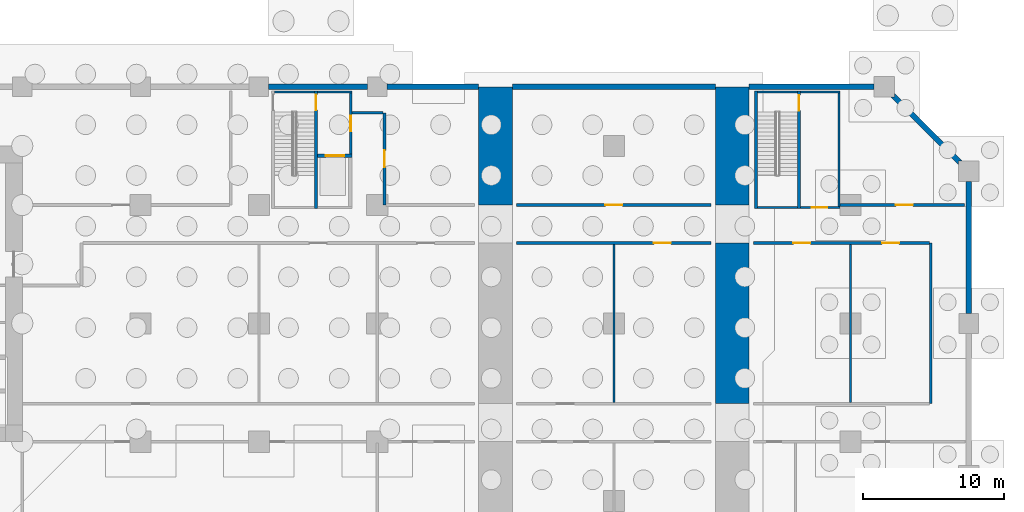
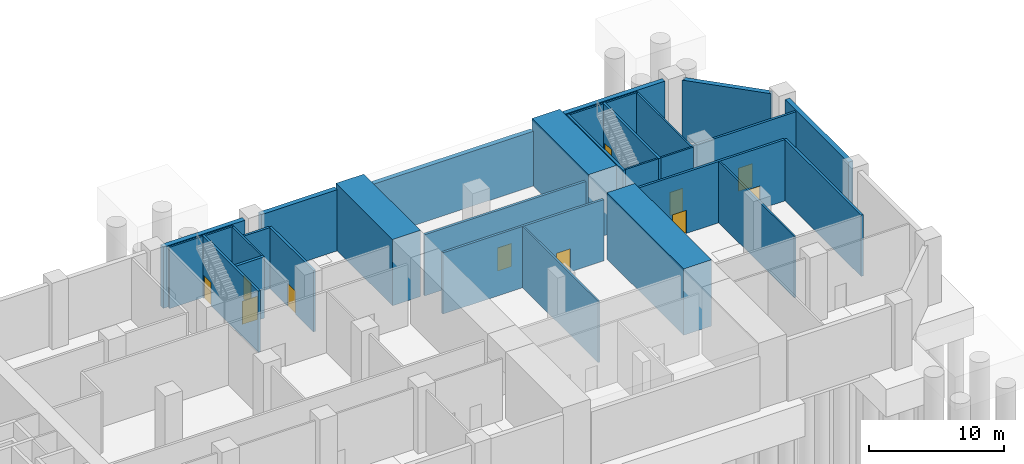
# One storey, part 9 of 13: 30 walls, 11 doors, 11 openings.
"""IFC4 building model written with IfcOpenShell, lengths in metres."""

from ifc_helpers import new_model, si_unit, direction, frame, frame_2d, origin, place, context, subcontext, project, spatial, polyline, rectangle, outline, extrude, material, layer, layer_set, type_object, element, fill, save


model = new_model("IFC4")

# Units and contexts
model_context = context("Model", 3, precision=1e-05, world=origin(), true_north=direction((0.0, 1.0)))
body_context = subcontext(model_context, "Body", "Model", "MODEL_VIEW")
ifc_project = project(units=[si_unit("LENGTHUNIT", "METRE"), si_unit("AREAUNIT", "SQUARE_METRE"), si_unit("VOLUMEUNIT", "CUBIC_METRE"), si_unit("PLANEANGLEUNIT", "RADIAN"), si_unit("MASSUNIT", "GRAM", prefix="KILO")], contexts=[model_context])

# Site, building, storey
site_placement = place(None, origin())
site = spatial("IfcSite", under=ifc_project, at=site_placement, CompositionType="ELEMENT")
building_placement = place(site_placement, origin())
building = spatial("IfcBuilding", under=site, at=building_placement, Name="Kawkab Arch Medical Tower", CompositionType="ELEMENT")
storey_placement = place(building_placement, frame((0.0, 0.0, -6.0)))
storey = spatial("IfcBuildingStorey", under=building, at=storey_placement, Name="B1", CompositionType="ELEMENT", Elevation=-6.0)

# Walls
ifc_material_1 = material(Name="Concrete C60/75", Category="concrete")
wall_type_1 = type_object("IfcWallType", Name="Arch wall C60/75", PredefinedType="SHEAR", material=ifc_material_1)
placement_1 = place(storey_placement, frame((0.0, 0.0, 6.0), z_axis=(0.0, -1.0, 0.0), x_axis=(1.0, 0.0, 0.0)))
element("IfcWall", 1, at=placement_1, inside=storey, type_object=wall_type_1, Name="Arch wall B1-1", PredefinedType="SHEAR", context=body_context, shape_type="SweptSolid", body=[
    extrude(outline(polyline([(60.0, 0.0), (60.0, -6.0), (57.60009765625, -6.0), (57.60009765625, 0.0), (60.0, 0.0)])), origin(), (0.0, 0.0, 1.0), 8.39990234375),
])
element("IfcWall", 2, at=placement_1, inside=storey, type_object=wall_type_1, Name="Arch wall B1-6", PredefinedType="SHEAR", context=body_context, shape_type="SweptSolid", body=[
    extrude(outline(polyline([(74.39990234375, -6.0), (74.39990234375, 0.0), (76.800048828125, 0.0), (76.800048828125, -6.0), (74.39990234375, -6.0)])), origin(), (0.0, 0.0, 1.0), 8.39990234375),
])
wall_3_placement = place(storey_placement, frame((0.0, -11.10009765625, 6.0), z_axis=(0.0, -1.0, 0.0), x_axis=(1.0, 0.0, 0.0)))
element("IfcWall", 3, at=wall_3_placement, inside=storey, type_object=wall_type_1, Name="Arch wall B1-8", PredefinedType="SHEAR", context=body_context, shape_type="SweptSolid", body=[
    extrude(outline(polyline([(74.39990234375, -6.0), (74.39990234375, 0.0), (76.800048828125, 0.0), (76.800048828125, -6.0), (74.39990234375, -6.0)])), origin(), (0.0, 0.0, 1.0), 11.39990234375),
])
ifc_material_2 = material(Name="Concrete C45/55", Category="concrete")
ifc_layer_1 = layer(ifc_material_2, 0.39990234375)
ifc_layer_set_1 = layer_set([ifc_layer_1], Name="Concrete C45/55")
wall_type_2 = type_object("IfcWallType", Name="Basement wall 400 C45/55", PredefinedType="SOLIDWALL", material=ifc_layer_set_1)
placement_2 = place(storey_placement, origin())
element("IfcWall", 4, at=placement_2, inside=storey, type_object=wall_type_2, Name="Basement wall 05", PredefinedType="SOLIDWALL", context=body_context, shape_type="SweptSolid", body=[
    extrude(outline(polyline([(49.699951171875, -0.199951171875), (42.699951171875, -0.199951171875), (42.699951171875, 0.199951171875), (49.699951171875, 0.199951171875), (49.699951171875, -0.199951171875)])), origin(), (0.0, 0.0, 1.0), 5.550048828125),
])
element("IfcWall", 5, at=placement_2, inside=storey, type_object=wall_type_2, Name="Basement wall 06", PredefinedType="SOLIDWALL", context=body_context, shape_type="SweptSolid", body=[
    extrude(outline(polyline([(57.60009765625, -0.199951171875), (51.10009765625, -0.199951171875), (51.10009765625, 0.199951171875), (57.60009765625, 0.199951171875), (57.60009765625, -0.199951171875)])), origin(), (0.0, 0.0, 1.0), 5.550048828125),
])
element("IfcWall", 6, at=placement_2, inside=storey, type_object=wall_type_2, Name="Basement wall 07", PredefinedType="SOLIDWALL", context=body_context, shape_type="SweptSolid", body=[
    extrude(outline(polyline([(74.39990234375, -0.199951171875), (60.0, -0.199951171875), (60.0, 0.199951171875), (74.39990234375, 0.199951171875), (74.39990234375, -0.199951171875)])), origin(), (0.0, 0.0, 1.0), 4.949951171875),
])
element("IfcWall", 7, at=placement_2, inside=storey, type_object=wall_type_2, Name="Basement wall 08", PredefinedType="SOLIDWALL", context=body_context, shape_type="SweptSolid", body=[
    extrude(outline(polyline([(85.675048828125, -0.199951171875), (76.800048828125, -0.199951171875), (76.800048828125, 0.199951171875), (85.675048828125, 0.199951171875), (85.675048828125, -0.199951171875)])), origin(), (0.0, 0.0, 1.0), 5.550048828125),
])
element("IfcWall", 8, at=placement_2, inside=storey, type_object=wall_type_2, Name="Basement wall 10", PredefinedType="SOLIDWALL", context=body_context, shape_type="SweptSolid", body=[
    extrude(outline(polyline([(91.675048828125, -5.27490234375), (91.675048828125, -5.557861328125), (86.84228515625, -0.72509765625), (87.125, -0.72509765625), (87.125, -0.442138671875), (91.957763671875, -5.27490234375), (91.675048828125, -5.27490234375)])), origin(), (0.0, 0.0, 1.0), 5.550048828125),
])
element("IfcWall", 9, at=placement_2, inside=storey, type_object=wall_type_2, Name="Basement wall 12", PredefinedType="SOLIDWALL", context=body_context, shape_type="SweptSolid", body=[
    extrude(outline(polyline([(92.199951171875, -16.10009765625), (92.199951171875, -6.72509765625), (92.60009765625, -6.72509765625), (92.60009765625, -16.10009765625), (92.199951171875, -16.10009765625)])), origin(), (0.0, 0.0, 1.0), 5.550048828125),
])

# Wall, opening, door
ifc_material_3 = material(Name="Gypsum board on steel studs", Category="steel")
ifc_layer_2 = layer(ifc_material_3, 0.14990234375)
ifc_layer_set_2 = layer_set([ifc_layer_2], Name="Gypsum board on steel studs")
wall_type_3 = type_object("IfcWallType", Name="Core room partition 150", PredefinedType="PARTITIONING", material=ifc_layer_set_2)
wall_10_placement = place(storey_placement, frame((48.52490234375, -4.77490234375, 0.0), z_axis=(0.0, 0.0, 1.0), x_axis=(0.0, 1.0, 0.0)))
wall_10 = element("IfcWall", 10, at=wall_10_placement, inside=storey, type_object=wall_type_3, Name="B1 core room partition", PredefinedType="PARTITIONING", context=body_context, shape_type="SweptSolid", body=[
    extrude(rectangle(XDim=4.324951171875, YDim=0.14990234375, at=frame_2d((2.16259765625, 0.0))), origin(), (0.0, 0.0, 1.0), 5.550048828125),
])
opening_1_placement = place(wall_10_placement, frame((1.625, 0.0, 0.0)))
opening_1 = element("IfcOpeningElement", 11, at=opening_1_placement, cuts=wall_10, Name="Opening FD", PredefinedType="OPENING", context=body_context, shape_type="SweptSolid", body=[
    extrude(rectangle(XDim=1.10009765625, YDim=2.10009765625, at=frame_2d((0.550048828125, 1.050048828125))), frame((0.0, 0.0849609375, 0.0), z_axis=(0.0, -1.0, 0.0), x_axis=(1.0, 0.0, 0.0)), (0.0, 0.0, 1.0), 0.169921875),
])
ifc_material_4 = material(Name="Hollow metal fire door leaf")
door_type_1 = type_object("IfcDoorType", Name="Firefighting lobby door 1100", OperationType="SINGLE_SWING_LEFT", PredefinedType="DOOR", material=ifc_material_4)
door_1_placement = place(opening_1_placement, origin())
door_1 = element("IfcDoor", 12, at=door_1_placement, inside=storey, type_object=door_type_1, Name="B1 Service lift lobby door SV1", OperationType="SINGLE_SWING_LEFT", OverallHeight=2.10009765625, OverallWidth=1.10009765625, PredefinedType="DOOR", context=body_context, shape_type="SweptSolid", body=[
    extrude(rectangle(XDim=1.10009765625, YDim=2.10009765625, at=frame_2d((0.550048828125, 1.050048828125))), frame((0.0, 0.02490234375, 0.0), z_axis=(0.0, -1.0, 0.0), x_axis=(1.0, 0.0, 0.0)), (0.0, 0.0, 1.0), 0.050048828125),
])
fill(opening_1, door_1)

# Walls
wall_11_placement = place(storey_placement, frame((80.449951171875, -0.375, 0.0), z_axis=(0.0, 0.0, 1.0), x_axis=(1.0, 0.0, 0.0)))
element("IfcWall", 13, at=wall_11_placement, inside=storey, type_object=wall_type_3, Name="B1 core room partition", PredefinedType="PARTITIONING", context=body_context, shape_type="SweptSolid", body=[
    extrude(rectangle(XDim=2.800048828125, YDim=0.14990234375, at=frame_2d((1.39990234375, 0.0))), origin(), (0.0, 0.0, 1.0), 5.550048828125),
])
wall_12_placement = place(storey_placement, frame((83.175048828125, -8.5, 0.0), z_axis=(0.0, 0.0, 1.0), x_axis=(0.0, 1.0, 0.0)))
element("IfcWall", 14, at=wall_12_placement, inside=storey, type_object=wall_type_3, Name="B1 core room partition", PredefinedType="PARTITIONING", context=body_context, shape_type="SweptSolid", body=[
    extrude(rectangle(XDim=8.050048828125, YDim=0.14990234375, at=frame_2d((4.02490234375, 0.0))), origin(), (0.0, 0.0, 1.0), 5.550048828125),
])

# Wall, opening, door
ifc_material_5 = material(Name="Concrete C60/75", Category="concrete")
ifc_layer_3 = layer(ifc_material_5, 0.25)
ifc_layer_set_3 = layer_set([ifc_layer_3], Name="Concrete C60/75")
wall_type_4 = type_object("IfcWallType", Name="Core shear wall 250 C60/75", PredefinedType="SHEAR", material=ifc_layer_set_3)
wall_13_placement = place(storey_placement, frame((46.14990234375, -4.89990234375, 0.0), z_axis=(0.0, 0.0, 1.0), x_axis=(1.0, 0.0, 0.0)))
wall_13 = element("IfcWall", 15, at=wall_13_placement, inside=storey, type_object=wall_type_4, Name="B1 core shear wall", PredefinedType="SHEAR", context=body_context, shape_type="SweptSolid", body=[
    extrude(rectangle(XDim=2.4501953125, YDim=0.25, at=frame_2d((1.22509765625, 0.0))), origin(), (0.0, 0.0, 1.0), 5.550048828125),
])
opening_2_placement = place(wall_13_placement, frame((0.60009765625, 0.0, 0.0)))
opening_2 = element("IfcOpeningElement", 16, at=opening_2_placement, cuts=wall_13, Name="Opening LD2", PredefinedType="OPENING", context=body_context, shape_type="SweptSolid", body=[
    extrude(rectangle(XDim=1.300048828125, YDim=2.10009765625, at=frame_2d((0.64990234375, 1.050048828125))), frame((0.0, 0.135009765625, 0.0), z_axis=(0.0, -1.0, 0.0), x_axis=(1.0, 0.0, 0.0)), (0.0, 0.0, 1.0), 0.27001953125),
])
ifc_material_6 = material(Name="Stainless steel lift door leaf", Category="steel")
door_type_2 = type_object("IfcDoorType", Name="Lift landing door 1300", OperationType="DOUBLE_DOOR_SLIDING", PredefinedType="DOOR", material=ifc_material_6)
door_2_placement = place(opening_2_placement, origin())
door_2 = element("IfcDoor", 17, at=door_2_placement, inside=storey, type_object=door_type_2, Name="B1 Lift landing door SV1", OperationType="DOUBLE_DOOR_SLIDING", OverallHeight=2.10009765625, OverallWidth=1.300048828125, PredefinedType="DOOR", context=body_context, shape_type="SweptSolid", body=[
    extrude(rectangle(XDim=1.300048828125, YDim=2.10009765625, at=frame_2d((0.64990234375, 1.050048828125))), frame((0.0, 0.02490234375, 0.0), z_axis=(0.0, -1.0, 0.0), x_axis=(1.0, 0.0, 0.0)), (0.0, 0.0, 1.0), 0.050048828125),
])
fill(opening_2, door_2)

# Walls
ifc_material_7 = material(Name="Gypsum board partition on steel studs, mineral wool", Category="steel")
ifc_layer_4 = layer(ifc_material_7, 0.14990234375)
ifc_layer_set_4 = layer_set([ifc_layer_4], Name="Gypsum board partition on steel studs, mineral wool")
wall_type_5 = type_object("IfcWallType", Name="Partition 150", PredefinedType="PARTITIONING", material=ifc_layer_set_4)
for number, where, z_axis, x_axis, name in (
    (18, (67.199951171875, -22.39990234375, 0.0), (0.0, 0.0, 1.0), (0.0, 1.0, 0.0), "Partition 150 w033"),
    (19, (84.0, -22.39990234375, 0.0), (0.0, 0.0, 1.0), (0.0, 1.0, 0.0), "Partition 150 w035"),
):
    element("IfcWall", number, at=place(storey_placement, frame(where, z_axis=z_axis, x_axis=x_axis)), inside=storey, type_object=wall_type_5, Name=name, PredefinedType="PARTITIONING", context=body_context, shape_type="SweptSolid", body=[
        extrude(rectangle(XDim=11.199951171875, YDim=0.14990234375, at=frame_2d((5.60009765625, 0.0))), origin(), (0.0, 0.0, 1.0), 5.550048828125),
    ])

# Wall, opening, door
ifc_material_8 = material(Name="Fire-rated gypsum board partition on steel studs", Category="steel")
ifc_layer_5 = layer(ifc_material_8, 0.199951171875)
ifc_layer_set_5 = layer_set([ifc_layer_5], Name="Fire-rated gypsum board partition on steel studs")
wall_type_6 = type_object("IfcWallType", Name="Protected partition 200", PredefinedType="PARTITIONING", material=ifc_layer_set_5)
wall_14_placement = place(storey_placement, frame((60.300048828125, -11.10009765625, 0.0), z_axis=(0.0, 0.0, 1.0), x_axis=(1.0, 0.0, 0.0)))
wall_14 = element("IfcWall", 20, at=wall_14_placement, inside=storey, type_object=wall_type_6, Name="Protected partition 200 w043", PredefinedType="PARTITIONING", context=body_context, shape_type="SweptSolid", body=[
    extrude(rectangle(XDim=13.800048828125, YDim=0.199951171875, at=frame_2d((6.89990234375, 0.0))), origin(), (0.0, 0.0, 1.0), 5.550048828125),
])
opening_3_placement = place(wall_14_placement, frame((9.75, 0.0, 0.0)))
opening_3 = element("IfcOpeningElement", 21, at=opening_3_placement, cuts=wall_14, Name="Opening B01-033", PredefinedType="OPENING", context=body_context, shape_type="SweptSolid", body=[
    extrude(rectangle(XDim=1.199951171875, YDim=2.10009765625, at=frame_2d((0.60009765625, 1.050048828125))), frame((0.0, 0.10986328125, 0.0), z_axis=(0.0, -1.0, 0.0), x_axis=(1.0, 0.0, 0.0)), (0.0, 0.0, 1.0), 0.219970703125),
])
ifc_material_9 = material(Name="Hollow metal door leaf")
door_type_3 = type_object("IfcDoorType", Name="Single door 1200x2100 FD60", OperationType="NOTDEFINED", PredefinedType="DOOR", material=ifc_material_9)
door_3_placement = place(opening_3_placement, origin())
door_3 = element("IfcDoor", 22, at=door_3_placement, inside=storey, type_object=door_type_3, Name="Door B01-033", OperationType="SINGLE_SWING_LEFT", OverallHeight=2.10009765625, OverallWidth=1.199951171875, PredefinedType="DOOR", context=body_context, shape_type="SweptSolid", body=[
    extrude(rectangle(XDim=1.199951171875, YDim=2.10009765625, at=frame_2d((0.60009765625, 1.050048828125))), frame((0.0, 0.02490234375, 0.0), z_axis=(0.0, -1.0, 0.0), x_axis=(1.0, 0.0, 0.0)), (0.0, 0.0, 1.0), 0.050048828125),
])
fill(opening_3, door_3)

# Wall, openings, doors
wall_15_placement = place(storey_placement, frame((77.10009765625, -11.10009765625, 0.0), z_axis=(0.0, 0.0, 1.0), x_axis=(1.0, 0.0, 0.0)))
wall_15 = element("IfcWall", 23, at=wall_15_placement, inside=storey, type_object=wall_type_6, Name="Protected partition 200 w044", PredefinedType="PARTITIONING", context=body_context, shape_type="SweptSolid", body=[
    extrude(rectangle(XDim=12.5, YDim=0.199951171875, at=frame_2d((6.25, 0.0))), origin(), (0.0, 0.0, 1.0), 5.550048828125),
])
opening_4_placement = place(wall_15_placement, frame((2.85009765625, 0.0, 0.0)))
opening_4 = element("IfcOpeningElement", 24, at=opening_4_placement, cuts=wall_15, Name="Opening B01-034", PredefinedType="OPENING", context=body_context, shape_type="SweptSolid", body=[
    extrude(rectangle(XDim=1.199951171875, YDim=2.10009765625, at=frame_2d((0.60009765625, 1.050048828125))), frame((0.0, 0.10986328125, 0.0), z_axis=(0.0, -1.0, 0.0), x_axis=(1.0, 0.0, 0.0)), (0.0, 0.0, 1.0), 0.219970703125),
])
opening_5_placement = place(wall_15_placement, frame((9.14990234375, 0.0, 0.0)))
opening_5 = element("IfcOpeningElement", 25, at=opening_5_placement, cuts=wall_15, Name="Opening B01-035", PredefinedType="OPENING", context=body_context, shape_type="SweptSolid", body=[
    extrude(rectangle(XDim=1.199951171875, YDim=2.10009765625, at=frame_2d((0.60009765625, 1.050048828125))), frame((0.0, 0.10986328125, 0.0), z_axis=(0.0, -1.0, 0.0), x_axis=(1.0, 0.0, 0.0)), (0.0, 0.0, 1.0), 0.219970703125),
])
door_4_placement = place(opening_4_placement, origin())
door_4 = element("IfcDoor", 26, at=door_4_placement, inside=storey, type_object=door_type_3, Name="Door B01-034", OperationType="SINGLE_SWING_RIGHT", OverallHeight=2.10009765625, OverallWidth=1.199951171875, PredefinedType="DOOR", context=body_context, shape_type="SweptSolid", body=[
    extrude(rectangle(XDim=1.199951171875, YDim=2.10009765625, at=frame_2d((0.60009765625, 1.050048828125))), frame((0.0, 0.02490234375, 0.0), z_axis=(0.0, -1.0, 0.0), x_axis=(1.0, 0.0, 0.0)), (0.0, 0.0, 1.0), 0.050048828125),
])
fill(opening_4, door_4)
door_5_placement = place(opening_5_placement, origin())
door_5 = element("IfcDoor", 27, at=door_5_placement, inside=storey, type_object=door_type_3, Name="Door B01-035", OperationType="SINGLE_SWING_LEFT", OverallHeight=2.10009765625, OverallWidth=1.199951171875, PredefinedType="DOOR", context=body_context, shape_type="SweptSolid", body=[
    extrude(rectangle(XDim=1.199951171875, YDim=2.10009765625, at=frame_2d((0.60009765625, 1.050048828125))), frame((0.0, 0.02490234375, 0.0), z_axis=(0.0, -1.0, 0.0), x_axis=(1.0, 0.0, 0.0)), (0.0, 0.0, 1.0), 0.050048828125),
])
fill(opening_5, door_5)

# Wall, opening, door
wall_16_placement = place(storey_placement, frame((60.300048828125, -8.39990234375, 0.0), z_axis=(0.0, 0.0, 1.0), x_axis=(1.0, 0.0, 0.0)))
wall_16 = element("IfcWall", 28, at=wall_16_placement, inside=storey, type_object=wall_type_6, Name="Protected partition 200 w047", PredefinedType="PARTITIONING", context=body_context, shape_type="SweptSolid", body=[
    extrude(rectangle(XDim=13.800048828125, YDim=0.199951171875, at=frame_2d((6.89990234375, 0.0))), origin(), (0.0, 0.0, 1.0), 5.550048828125),
])
opening_6_placement = place(wall_16_placement, frame((6.300048828125, 0.0, 0.0)))
opening_6 = element("IfcOpeningElement", 29, at=opening_6_placement, cuts=wall_16, Name="Opening B01-027", PredefinedType="OPENING", context=body_context, shape_type="SweptSolid", body=[
    extrude(rectangle(XDim=1.199951171875, YDim=2.10009765625, at=frame_2d((0.60009765625, 1.050048828125))), frame((0.0, 0.10986328125, 0.0), z_axis=(0.0, -1.0, 0.0), x_axis=(1.0, 0.0, 0.0)), (0.0, 0.0, 1.0), 0.219970703125),
])
door_6_placement = place(opening_6_placement, origin())
door_6 = element("IfcDoor", 30, at=door_6_placement, inside=storey, type_object=door_type_3, Name="Door B01-027", OperationType="SINGLE_SWING_RIGHT", OverallHeight=2.10009765625, OverallWidth=1.199951171875, PredefinedType="DOOR", context=body_context, shape_type="SweptSolid", body=[
    extrude(rectangle(XDim=1.199951171875, YDim=2.10009765625, at=frame_2d((0.60009765625, 1.050048828125))), frame((0.0, 0.02490234375, 0.0), z_axis=(0.0, -1.0, 0.0), x_axis=(1.0, 0.0, 0.0)), (0.0, 0.0, 1.0), 0.050048828125),
])
fill(opening_6, door_6)

wall_17_placement = place(storey_placement, frame((83.25, -8.39990234375, 0.0), z_axis=(0.0, 0.0, 1.0), x_axis=(1.0, 0.0, 0.0)))
wall_17 = element("IfcWall", 31, at=wall_17_placement, inside=storey, type_object=wall_type_6, Name="Protected partition 200 w048", PredefinedType="PARTITIONING", context=body_context, shape_type="SweptSolid", body=[
    extrude(rectangle(XDim=8.85107421875, YDim=0.199951171875, at=frame_2d((4.425537109375, 0.0))), origin(), (0.0, 0.0, 1.0), 5.550048828125),
])
opening_7_placement = place(wall_17_placement, frame((3.97509765625, 0.0, 0.0)))
opening_7 = element("IfcOpeningElement", 32, at=opening_7_placement, cuts=wall_17, Name="Opening B01-028", PredefinedType="OPENING", context=body_context, shape_type="SweptSolid", body=[
    extrude(rectangle(XDim=1.199951171875, YDim=2.10009765625, at=frame_2d((0.60009765625, 1.050048828125))), frame((0.0, 0.10986328125, 0.0), z_axis=(0.0, -1.0, 0.0), x_axis=(1.0, 0.0, 0.0)), (0.0, 0.0, 1.0), 0.219970703125),
])
door_7_placement = place(opening_7_placement, origin())
door_7 = element("IfcDoor", 33, at=door_7_placement, inside=storey, type_object=door_type_3, Name="Door B01-028", OperationType="SINGLE_SWING_LEFT", OverallHeight=2.10009765625, OverallWidth=1.199951171875, PredefinedType="DOOR", context=body_context, shape_type="SweptSolid", body=[
    extrude(rectangle(XDim=1.199951171875, YDim=2.10009765625, at=frame_2d((0.60009765625, 1.050048828125))), frame((0.0, 0.02490234375, 0.0), z_axis=(0.0, -1.0, 0.0), x_axis=(1.0, 0.0, 0.0)), (0.0, 0.0, 1.0), 0.050048828125),
])
fill(opening_7, door_7)

# Wall
wall_18_placement = place(storey_placement, frame((48.60009765625, -1.85009765625, 0.0), z_axis=(0.0, 0.0, 1.0), x_axis=(1.0, 0.0, 0.0)))
element("IfcWall", 34, at=wall_18_placement, inside=storey, type_object=wall_type_6, Name="Protected partition 200 w049", PredefinedType="PARTITIONING", context=body_context, shape_type="SweptSolid", body=[
    extrude(rectangle(XDim=2.222900390625, YDim=0.199951171875, at=frame_2d((1.111328125, 0.0))), origin(), (0.0, 0.0, 1.0), 5.550048828125),
])

# Wall, opening, door
wall_19_placement = place(storey_placement, frame((50.925048828125, -8.39990234375, 0.0), z_axis=(0.0, 0.0, 1.0), x_axis=(0.0, 1.0, 0.0)))
wall_19 = element("IfcWall", 35, at=wall_19_placement, inside=storey, type_object=wall_type_6, Name="Protected partition 200 w055", PredefinedType="PARTITIONING", context=body_context, shape_type="SweptSolid", body=[
    extrude(rectangle(XDim=6.548828125, YDim=0.199951171875, at=frame_2d((3.2744140625, 0.0))), origin(), (0.0, 0.0, 1.0), 5.550048828125),
])
opening_8_placement = place(wall_19_placement, frame((2.675048828125, 0.0, 0.0)))
opening_8 = element("IfcOpeningElement", 36, at=opening_8_placement, cuts=wall_19, Name="Opening B01-026", PredefinedType="OPENING", context=body_context, shape_type="SweptSolid", body=[
    extrude(rectangle(XDim=1.199951171875, YDim=2.10009765625, at=frame_2d((0.60009765625, 1.050048828125))), frame((0.0, 0.10986328125, 0.0), z_axis=(0.0, -1.0, 0.0), x_axis=(1.0, 0.0, 0.0)), (0.0, 0.0, 1.0), 0.219970703125),
])
door_8_placement = place(opening_8_placement, origin())
door_8 = element("IfcDoor", 37, at=door_8_placement, inside=storey, type_object=door_type_3, Name="Door B01-026", OperationType="SINGLE_SWING_RIGHT", OverallHeight=2.10009765625, OverallWidth=1.199951171875, PredefinedType="DOOR", context=body_context, shape_type="SweptSolid", body=[
    extrude(rectangle(XDim=1.199951171875, YDim=2.10009765625, at=frame_2d((0.60009765625, 1.050048828125))), frame((0.0, 0.02490234375, 0.0), z_axis=(0.0, -1.0, 0.0), x_axis=(1.0, 0.0, 0.0)), (0.0, 0.0, 1.0), 0.050048828125),
])
fill(opening_8, door_8)

# Walls
wall_20_placement = place(storey_placement, frame((89.699951171875, -22.5, 0.0), z_axis=(0.0, 0.0, 1.0), x_axis=(0.0, 1.0, 0.0)))
element("IfcWall", 38, at=wall_20_placement, inside=storey, type_object=wall_type_6, Name="Protected partition 200 w056", PredefinedType="PARTITIONING", context=body_context, shape_type="SweptSolid", body=[
    extrude(rectangle(XDim=11.39990234375, YDim=0.199951171875, at=frame_2d((5.699951171875, 0.0))), origin(), (0.0, 0.0, 1.0), 5.550048828125),
])
ifc_material_10 = material(Name="Concrete C50/60", Category="concrete")
ifc_layer_6 = layer(ifc_material_10, 0.14990234375)
ifc_layer_set_6 = layer_set([ifc_layer_6], Name="Concrete C50/60")
wall_type_7 = type_object("IfcWallType", Name="Stair enclosure wall 150 C50/60", PredefinedType="SHEAR", material=ifc_layer_set_6)
wall_21_placement = place(storey_placement, frame((43.10009765625, -0.375, 0.0), z_axis=(0.0, 0.0, 1.0), x_axis=(1.0, 0.0, 0.0)))
element("IfcWall", 39, at=wall_21_placement, inside=storey, type_object=wall_type_7, Name="B1 stair enclosure wall", PredefinedType="SHEAR", context=body_context, shape_type="SweptSolid", body=[
    extrude(rectangle(XDim=2.849853515625, YDim=0.14990234375, at=frame_2d((1.4248046875, 0.0))), origin(), (0.0, 0.0, 1.0), 5.550048828125),
])
wall_22_placement = place(storey_placement, frame((46.14990234375, -0.375, 0.0), z_axis=(0.0, 0.0, 1.0), x_axis=(1.0, 0.0, 0.0)))
element("IfcWall", 40, at=wall_22_placement, inside=storey, type_object=wall_type_7, Name="B1 stair enclosure wall", PredefinedType="SHEAR", context=body_context, shape_type="SweptSolid", body=[
    extrude(rectangle(XDim=2.4501953125, YDim=0.14990234375, at=frame_2d((1.22509765625, 0.0))), origin(), (0.0, 0.0, 1.0), 5.550048828125),
])
for number, where, z_axis, x_axis, name in (
    (41, (77.39990234375, -0.375, 0.0), (0.0, 0.0, 1.0), (1.0, 0.0, 0.0), "B1 stair enclosure wall"),
    (42, (77.39990234375, -8.574951171875, 0.0), (0.0, 0.0, 1.0), (1.0, 0.0, 0.0), "B1 stair enclosure wall"),
):
    element("IfcWall", number, at=place(storey_placement, frame(where, z_axis=z_axis, x_axis=x_axis)), inside=storey, type_object=wall_type_7, Name=name, PredefinedType="SHEAR", context=body_context, shape_type="SweptSolid", body=[
        extrude(rectangle(XDim=2.85009765625, YDim=0.14990234375, at=frame_2d((1.425048828125, 0.0))), origin(), (0.0, 0.0, 1.0), 5.550048828125),
    ])

# Wall, opening, door
wall_23_placement = place(storey_placement, frame((80.449951171875, -8.574951171875, 0.0), z_axis=(0.0, 0.0, 1.0), x_axis=(1.0, 0.0, 0.0)))
wall_23 = element("IfcWall", 43, at=wall_23_placement, inside=storey, type_object=wall_type_7, Name="B1 stair enclosure wall", PredefinedType="SHEAR", context=body_context, shape_type="SweptSolid", body=[
    extrude(rectangle(XDim=2.800048828125, YDim=0.14990234375, at=frame_2d((1.39990234375, 0.0))), origin(), (0.0, 0.0, 1.0), 5.550048828125),
])
opening_9_placement = place(wall_23_placement, frame((0.800048828125, 0.0, 0.0)))
opening_9 = element("IfcOpeningElement", 44, at=opening_9_placement, cuts=wall_23, Name="Opening SD", PredefinedType="OPENING", context=body_context, shape_type="SweptSolid", body=[
    extrude(rectangle(XDim=1.10009765625, YDim=2.10009765625, at=frame_2d((0.550048828125, 1.050048828125))), frame((0.0, 0.0849609375, 0.0), z_axis=(0.0, -1.0, 0.0), x_axis=(1.0, 0.0, 0.0)), (0.0, 0.0, 1.0), 0.169921875),
])
ifc_material_11 = material(Name="Hollow metal fire door leaf")
door_type_4 = type_object("IfcDoorType", Name="Exit stair door 1100", OperationType="SINGLE_SWING_LEFT", PredefinedType="DOOR", material=ifc_material_11)
door_9_placement = place(opening_9_placement, origin())
door_9 = element("IfcDoor", 45, at=door_9_placement, inside=storey, type_object=door_type_4, Name="B1 Exit stair ST7 lobby door", OperationType="SINGLE_SWING_LEFT", OverallHeight=2.10009765625, OverallWidth=1.10009765625, PredefinedType="DOOR", context=body_context, shape_type="SweptSolid", body=[
    extrude(rectangle(XDim=1.10009765625, YDim=2.10009765625, at=frame_2d((0.550048828125, 1.050048828125))), frame((0.0, 0.02490234375, 0.0), z_axis=(0.0, -1.0, 0.0), x_axis=(1.0, 0.0, 0.0)), (0.0, 0.0, 1.0), 0.050048828125),
])
fill(opening_9, door_9)

ifc_material_12 = material(Name="Concrete C50/60", Category="concrete")
ifc_layer_7 = layer(ifc_material_12, 0.199951171875)
ifc_layer_set_7 = layer_set([ifc_layer_7], Name="Concrete C50/60")
wall_type_8 = type_object("IfcWallType", Name="Stair enclosure wall 200 C50/60", PredefinedType="SHEAR", material=ifc_layer_set_7)
wall_24_placement = place(storey_placement, frame((46.050048828125, -8.64990234375, 0.0), z_axis=(0.0, 0.0, 1.0), x_axis=(0.0, 1.0, 0.0)))
wall_24 = element("IfcWall", 46, at=wall_24_placement, inside=storey, type_object=wall_type_8, Name="B1 stair enclosure wall", PredefinedType="SHEAR", context=body_context, shape_type="SweptSolid", body=[
    extrude(rectangle(XDim=8.349853515625, YDim=0.199951171875, at=frame_2d((4.1748046875, 0.0))), origin(), (0.0, 0.0, 1.0), 5.550048828125),
])
opening_10_placement = place(wall_24_placement, frame((7.0, 0.0, 0.0)))
opening_10 = element("IfcOpeningElement", 47, at=opening_10_placement, cuts=wall_24, Name="Opening SD", PredefinedType="OPENING", context=body_context, shape_type="SweptSolid", body=[
    extrude(rectangle(XDim=1.10009765625, YDim=2.10009765625, at=frame_2d((0.550048828125, 1.050048828125))), frame((0.0, 0.10986328125, 0.0), z_axis=(0.0, -1.0, 0.0), x_axis=(1.0, 0.0, 0.0)), (0.0, 0.0, 1.0), 0.219970703125),
])
door_10_placement = place(opening_10_placement, origin())
door_10 = element("IfcDoor", 48, at=door_10_placement, inside=storey, type_object=door_type_4, Name="B1 Exit stair ST5 lobby door", OperationType="SINGLE_SWING_LEFT", OverallHeight=2.10009765625, OverallWidth=1.10009765625, PredefinedType="DOOR", context=body_context, shape_type="SweptSolid", body=[
    extrude(rectangle(XDim=1.10009765625, YDim=2.10009765625, at=frame_2d((0.550048828125, 1.050048828125))), frame((0.0, 0.02490234375, 0.0), z_axis=(0.0, -1.0, 0.0), x_axis=(1.0, 0.0, 0.0)), (0.0, 0.0, 1.0), 0.050048828125),
])
fill(opening_10, door_10)

# Wall
wall_25_placement = place(storey_placement, frame((77.300048828125, -8.64990234375, 0.0), z_axis=(0.0, 0.0, 1.0), x_axis=(0.0, 1.0, 0.0)))
element("IfcWall", 49, at=wall_25_placement, inside=storey, type_object=wall_type_8, Name="B1 stair enclosure wall", PredefinedType="SHEAR", context=body_context, shape_type="SweptSolid", body=[
    extrude(rectangle(XDim=8.349853515625, YDim=0.199951171875, at=frame_2d((4.1748046875, 0.0))), origin(), (0.0, 0.0, 1.0), 5.550048828125),
])

# Wall, opening, door
wall_26_placement = place(storey_placement, frame((80.35009765625, -8.64990234375, 0.0), z_axis=(0.0, 0.0, 1.0), x_axis=(0.0, 1.0, 0.0)))
wall_26 = element("IfcWall", 50, at=wall_26_placement, inside=storey, type_object=wall_type_8, Name="B1 stair enclosure wall", PredefinedType="SHEAR", context=body_context, shape_type="SweptSolid", body=[
    extrude(rectangle(XDim=8.349853515625, YDim=0.199951171875, at=frame_2d((4.1748046875, 0.0))), origin(), (0.0, 0.0, 1.0), 5.550048828125),
])
opening_11_placement = place(wall_26_placement, frame((6.949951171875, 0.0, 0.0)))
opening_11 = element("IfcOpeningElement", 51, at=opening_11_placement, cuts=wall_26, Name="Opening SD", PredefinedType="OPENING", context=body_context, shape_type="SweptSolid", body=[
    extrude(rectangle(XDim=1.10009765625, YDim=2.10009765625, at=frame_2d((0.550048828125, 1.050048828125))), frame((0.0, 0.10986328125, 0.0), z_axis=(0.0, -1.0, 0.0), x_axis=(1.0, 0.0, 0.0)), (0.0, 0.0, 1.0), 0.219970703125),
])
door_11_placement = place(opening_11_placement, origin())
door_11 = element("IfcDoor", 52, at=door_11_placement, inside=storey, type_object=door_type_4, Name="B1 Exit stair ST7 door", OperationType="SINGLE_SWING_LEFT", OverallHeight=2.10009765625, OverallWidth=1.10009765625, PredefinedType="DOOR", context=body_context, shape_type="SweptSolid", body=[
    extrude(rectangle(XDim=1.10009765625, YDim=2.10009765625, at=frame_2d((0.550048828125, 1.050048828125))), frame((0.0, 0.02490234375, 0.0), z_axis=(0.0, -1.0, 0.0), x_axis=(1.0, 0.0, 0.0)), (0.0, 0.0, 1.0), 0.050048828125),
])
fill(opening_11, door_11)

save(model, "model.ifc")
